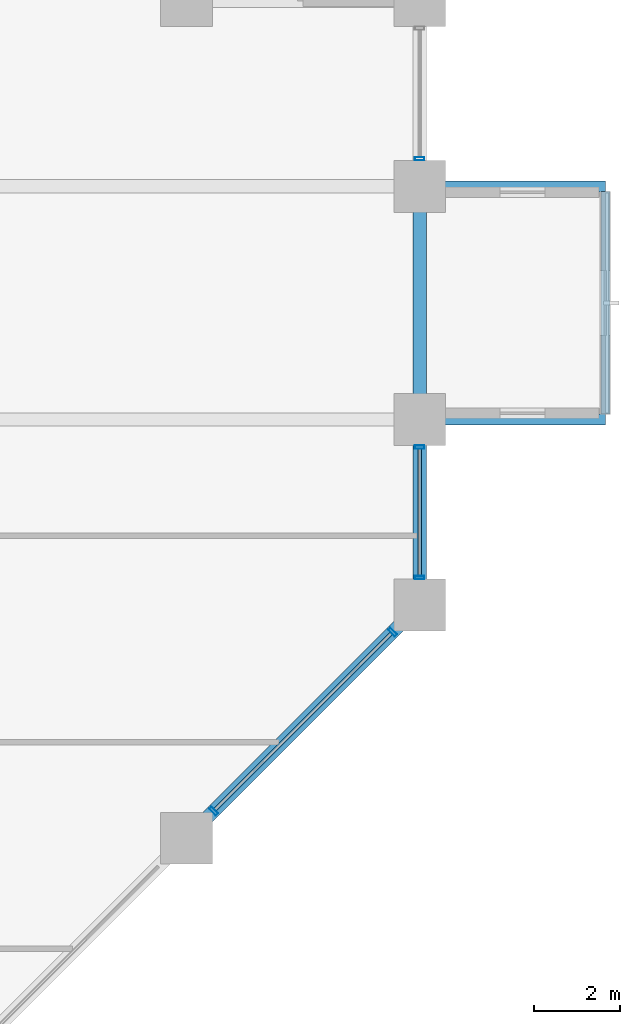
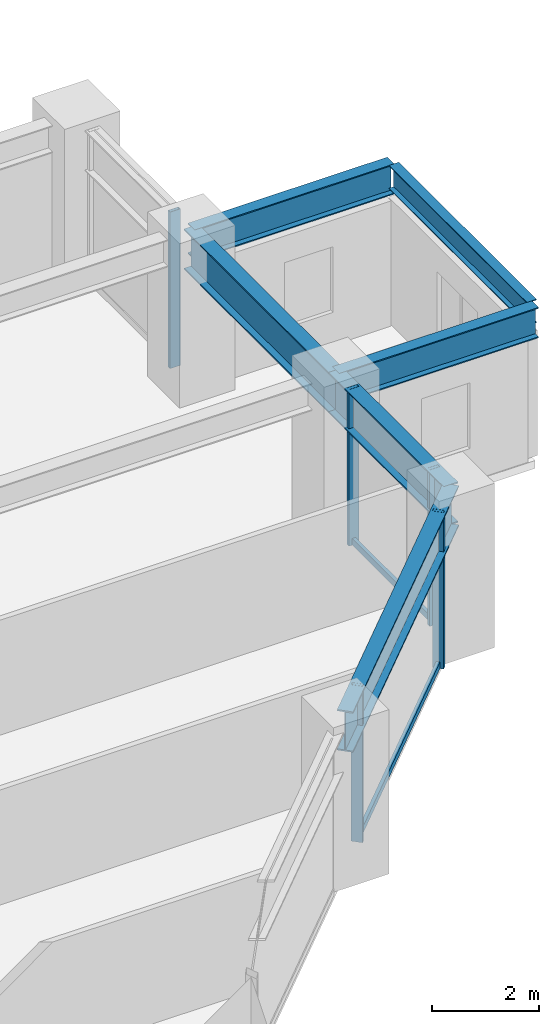
# One storey, part 17 of 28: 7 members, 6 beams, 3 elements without a shape of their own.
"""IFC4 building model written with IfcOpenShell, lengths in metres."""

from ifc_helpers import new_model, si_unit, direction, frame, origin, origin_2d, place, context, subcontext, project, spatial, hollow_rectangle, i_section, extrude, material, layer, layer_set, material_profile, profile_set, type_object, element, aggregate, save


model = new_model("IFC4")

# Units and contexts
model_context = context("Model", 3, precision=1e-05, world=origin(), true_north=direction((0.0, 1.0)))
body_context = subcontext(model_context, "Body", "Model", "MODEL_VIEW")
ifc_project = project(units=[si_unit("LENGTHUNIT", "METRE"), si_unit("AREAUNIT", "SQUARE_METRE"), si_unit("VOLUMEUNIT", "CUBIC_METRE"), si_unit("PLANEANGLEUNIT", "RADIAN"), si_unit("MASSUNIT", "GRAM", prefix="KILO")], contexts=[model_context])

# Site, building, storey
site_placement = place(None, origin())
site = spatial("IfcSite", under=ifc_project, at=site_placement, CompositionType="ELEMENT")
building_placement = place(site_placement, origin())
building = spatial("IfcBuilding", under=site, at=building_placement, Name="Surkhivell Harbour Commons", CompositionType="ELEMENT")
storey_placement = place(building_placement, frame((0.0, 0.0, 67.5)))
storey = spatial("IfcBuildingStorey", under=building, at=storey_placement, Name="L17", CompositionType="ELEMENT", Elevation=67.5)

# Beams
ifc_material_1 = material(Name="Steel S460", Category="steel")
ifc_material_profile_1 = material_profile(ifc_material_1, i_section(OverallWidth=0.256103515625, OverallDepth=0.693115234375, WebThickness=0.014404296875, FlangeThickness=0.023681640625, at=origin_2d()), Name="UB686x254x170")
ifc_profile_set_1 = profile_set([ifc_material_profile_1], Name="Steel S460")
beam_type_1 = type_object("IfcBeamType", Name="BM-CNT-686", PredefinedType="BEAM", material=ifc_profile_set_1)
for number, where, z_axis, x_axis, name in (
    (1, (32.39990234375, 10.800048828125, 3.223388671875), (1.0, 0.0, 0.0), (0.0, 1.0, 0.0), "L17 Box Cantilever Outrigger (32.4,10.8)"),
    (2, (32.39990234375, 16.199951171875, 3.223388671875), (1.0, 0.0, 0.0), (0.0, 1.0, 0.0), "L17 Box Cantilever Outrigger (32.4,16.2)"),
):
    element("IfcBeam", number, at=place(storey_placement, frame(where, z_axis=z_axis, x_axis=x_axis)), inside=storey, type_object=beam_type_1, Name=name, PredefinedType="BEAM", context=body_context, shape_type="SweptSolid", body=[
        extrude(i_section(OverallWidth=0.256103515625, OverallDepth=0.693115234375, WebThickness=0.014404296875, FlangeThickness=0.023681640625, at=origin_2d()), origin(), (0.0, 0.0, 1.0), 4.300048828125),
    ])
ifc_material_2 = material(Name="Steel S355", Category="steel")
ifc_material_profile_2 = material_profile(ifc_material_2, i_section(OverallWidth=0.2099609375, OverallDepth=0.537109375, WebThickness=0.0107421875, FlangeThickness=0.017333984375, at=origin_2d()), Name="UB533x210x101")
ifc_profile_set_2 = profile_set([ifc_material_profile_2], Name="Steel S355")
beam_type_2 = type_object("IfcBeamType", Name="BM-GRD-533B", PredefinedType="BEAM", material=ifc_profile_set_2)
beam_1_placement = place(storey_placement, frame((36.699951171875, 10.922119140625, 3.301513671875), z_axis=(0.0, 1.0, 0.0), x_axis=(-1.0, 0.0, 0.0)))
element("IfcBeam", 3, at=beam_1_placement, inside=storey, type_object=beam_type_2, Name="L17 Box Rim Spandrel (36.7,10.8)", PredefinedType="BEAM", context=body_context, shape_type="SweptSolid", body=[
    extrude(i_section(OverallWidth=0.2099609375, OverallDepth=0.537109375, WebThickness=0.0107421875, FlangeThickness=0.017333984375, at=origin_2d()), origin(), (0.0, 0.0, 1.0), 5.15576171875),
])
ifc_material_profile_3 = material_profile(ifc_material_1, i_section(OverallWidth=0.30810546875, OverallDepth=0.927001953125, WebThickness=0.01953125, FlangeThickness=0.031982421875, at=origin_2d()), Name="UB914x305x289")
ifc_profile_set_3 = profile_set([ifc_material_profile_3], Name="Steel S460")
beam_type_3 = type_object("IfcBeamType", Name="BM-SPN-914B", PredefinedType="SPANDREL", material=ifc_profile_set_3)
beam_2_placement = place(storey_placement, frame((27.0, 1.10009765625, 3.1064453125), z_axis=(0.707106781187, 0.707106781187, 0.0), x_axis=(-0.707106781187, 0.707106781187, 0.0)))
element("IfcBeam", 4, at=beam_2_placement, inside=storey, type_object=beam_type_3, Name="L17 Tube Spandrel (27.0,1.1)", PredefinedType="SPANDREL", context=body_context, shape_type="SweptSolid", body=[
    extrude(i_section(OverallWidth=0.30810546875, OverallDepth=0.927001953125, WebThickness=0.01953125, FlangeThickness=0.031982421875, at=origin_2d()), origin(), (0.0, 0.0, 1.0), 7.63671875),
])
beam_3_placement = place(storey_placement, frame((32.39990234375, 6.5, 3.1064453125), z_axis=(0.0, 1.0, 0.0), x_axis=(-1.0, 0.0, 0.0)))
element("IfcBeam", 5, at=beam_3_placement, inside=storey, type_object=beam_type_3, Name="L17 Tube Spandrel (32.4,6.5)", PredefinedType="SPANDREL", context=body_context, shape_type="SweptSolid", body=[
    extrude(i_section(OverallWidth=0.30810546875, OverallDepth=0.927001953125, WebThickness=0.01953125, FlangeThickness=0.031982421875, at=origin_2d()), origin(), (0.0, 0.0, 1.0), 4.300048828125),
])
beam_4_placement = place(storey_placement, frame((32.39990234375, 10.800048828125, 3.1064453125), z_axis=(0.0, 1.0, 0.0), x_axis=(-1.0, 0.0, 0.0)))
element("IfcBeam", 6, at=beam_4_placement, inside=storey, type_object=beam_type_3, Name="L17 Tube Spandrel (32.4,10.8)", PredefinedType="SPANDREL", context=body_context, shape_type="SweptSolid", body=[
    extrude(i_section(OverallWidth=0.30810546875, OverallDepth=0.927001953125, WebThickness=0.01953125, FlangeThickness=0.031982421875, at=origin_2d()), origin(), (0.0, 0.0, 1.0), 5.39990234375),
])

# Curtain wall, members
ifc_material_3 = material(Name="Anodised pale-metal aluminium and insulated glazing", Category="aluminium")
ifc_layer = layer(ifc_material_3, 0.219970703125)
ifc_layer_set = layer_set([ifc_layer], Name="Anodised pale-metal aluminium and insulated glazing")
curtain_wall_type = type_object("IfcCurtainWallType", Name="CW-SYS-Z1", PredefinedType="NOTDEFINED", material=ifc_layer_set)
curtain_wall_1_placement = place(storey_placement, origin())
curtain_wall_1 = element("IfcCurtainWall", 7, at=curtain_wall_1_placement, inside=storey, type_object=curtain_wall_type, Name="L17 Curtain Wall CW-L17-E01", PredefinedType="NOTDEFINED")
ifc_material_4 = material(Name="Anodised pale-metal aluminium alloy 6063-T6", Category="aluminium")
ifc_material_profile_4 = material_profile(ifc_material_4, hollow_rectangle(XDim=0.074951171875, YDim=0.219970703125, WallThickness=0.00390625, at=origin_2d()), Name="ALU-MULL-75x220")
ifc_profile_set_4 = profile_set([ifc_material_profile_4], Name="Anodised pale-metal aluminium alloy 6063-T6")
member_type_1 = type_object("IfcMemberType", Name="CWM-220", PredefinedType="MULLION", material=ifc_profile_set_4)
member_1_placement = place(storey_placement, frame((27.628173828125, 1.728271484375, 0.0), z_axis=(0.0, 0.0, 1.0), x_axis=(0.707106781187, 0.707106781187, 0.0)))
member_1 = element("IfcMember", 8, at=member_1_placement, type_object=member_type_1, Name="CW-Z1 mullion 7", PredefinedType="MULLION", context=body_context, shape_type="SweptSolid", body=[
    extrude(hollow_rectangle(XDim=0.074951171875, YDim=0.219970703125, WallThickness=0.00390625, at=origin_2d()), origin(), (0.0, 0.0, 1.0), 3.570068359375),
])
member_2_placement = place(storey_placement, frame((31.771728515625, 5.871826171875, 0.0), z_axis=(0.0, 0.0, 1.0), x_axis=(0.707106781187, 0.707106781187, 0.0)))
member_2 = element("IfcMember", 9, at=member_2_placement, type_object=member_type_1, Name="CW-Z1 mullion 8", PredefinedType="MULLION", context=body_context, shape_type="SweptSolid", body=[
    extrude(hollow_rectangle(XDim=0.074951171875, YDim=0.219970703125, WallThickness=0.00390625, at=origin_2d()), origin(), (0.0, 0.0, 1.0), 3.570068359375),
])

curtain_wall_2_placement = place(storey_placement, origin())
curtain_wall_2 = element("IfcCurtainWall", 10, at=curtain_wall_2_placement, inside=storey, type_object=curtain_wall_type, Name="L17 Curtain Wall CW-L17-E02R1", PredefinedType="NOTDEFINED")
member_3_placement = place(storey_placement, frame((32.39990234375, 7.139404296875, 0.0), z_axis=(0.0, 0.0, 1.0), x_axis=(0.0, 1.0, 0.0)))
member_3 = element("IfcMember", 11, at=member_3_placement, type_object=member_type_1, Name="CW-Z1 mullion 1", PredefinedType="MULLION", context=body_context, shape_type="SweptSolid", body=[
    extrude(hollow_rectangle(XDim=0.074951171875, YDim=0.219970703125, WallThickness=0.00390625, at=origin_2d()), origin(), (0.0, 0.0, 1.0), 3.570068359375),
])
member_4_placement = place(storey_placement, frame((32.39990234375, 10.160400390625, 0.0), z_axis=(0.0, 0.0, 1.0), x_axis=(0.0, 1.0, 0.0)))
member_4 = element("IfcMember", 12, at=member_4_placement, type_object=member_type_1, Name="CW-Z1 mullion 2", PredefinedType="MULLION", context=body_context, shape_type="SweptSolid", body=[
    extrude(hollow_rectangle(XDim=0.074951171875, YDim=0.219970703125, WallThickness=0.00390625, at=origin_2d()), origin(), (0.0, 0.0, 1.0), 3.570068359375),
])

# Curtain wall, member
curtain_wall_3_placement = place(storey_placement, origin())
curtain_wall_3 = element("IfcCurtainWall", 13, at=curtain_wall_3_placement, inside=storey, type_object=curtain_wall_type, Name="L17 Curtain Wall CW-L17-E02R2", PredefinedType="NOTDEFINED")
member_5_placement = place(storey_placement, frame((32.39990234375, 16.839599609375, 0.0), z_axis=(0.0, 0.0, 1.0), x_axis=(0.0, 1.0, 0.0)))
member_5 = element("IfcMember", 14, at=member_5_placement, type_object=member_type_1, Name="CW-Z1 mullion 1", PredefinedType="MULLION", context=body_context, shape_type="SweptSolid", body=[
    extrude(hollow_rectangle(XDim=0.074951171875, YDim=0.219970703125, WallThickness=0.00390625, at=origin_2d()), origin(), (0.0, 0.0, 1.0), 3.570068359375),
])
aggregate(curtain_wall_3, [member_5])

# Member
ifc_material_profile_5 = material_profile(ifc_material_4, hollow_rectangle(XDim=0.074951171875, YDim=0.14990234375, WallThickness=0.00341796875, at=origin_2d()), Name="ALU-TRAN-75x150")
ifc_profile_set_5 = profile_set([ifc_material_profile_5], Name="Anodised pale-metal aluminium alloy 6063-T6")
member_type_2 = type_object("IfcMemberType", Name="CWT-150", PredefinedType="USERDEFINED", material=ifc_profile_set_5)
member_6_placement = place(storey_placement, frame((27.65478515625, 1.7548828125, 0.074951171875), z_axis=(0.707106781187, 0.707106781187, 0.0), x_axis=(-0.707106781187, 0.707106781187, 0.0)))
member_6 = element("IfcMember", 15, at=member_6_placement, type_object=member_type_2, Name="CW-Z1 transom 7.1", ObjectType="TRANSOM", PredefinedType="USERDEFINED", context=body_context, shape_type="SweptSolid", body=[
    extrude(hollow_rectangle(XDim=0.074951171875, YDim=0.14990234375, WallThickness=0.00341796875, at=origin_2d()), origin(), (0.0, 0.0, 1.0), 5.78466796875),
])

aggregate(curtain_wall_1, [member_1, member_2, member_6])

member_7_placement = place(storey_placement, frame((32.39990234375, 7.177001953125, 0.074951171875), z_axis=(0.0, 1.0, 0.0), x_axis=(-1.0, 0.0, 0.0)))
member_7 = element("IfcMember", 16, at=member_7_placement, type_object=member_type_2, Name="CW-Z1 transom 1.1", ObjectType="TRANSOM", PredefinedType="USERDEFINED", context=body_context, shape_type="SweptSolid", body=[
    extrude(hollow_rectangle(XDim=0.074951171875, YDim=0.14990234375, WallThickness=0.00341796875, at=origin_2d()), origin(), (0.0, 0.0, 1.0), 2.946044921875),
])

aggregate(curtain_wall_2, [member_3, member_4, member_7])

save(model, "model.ifc")
